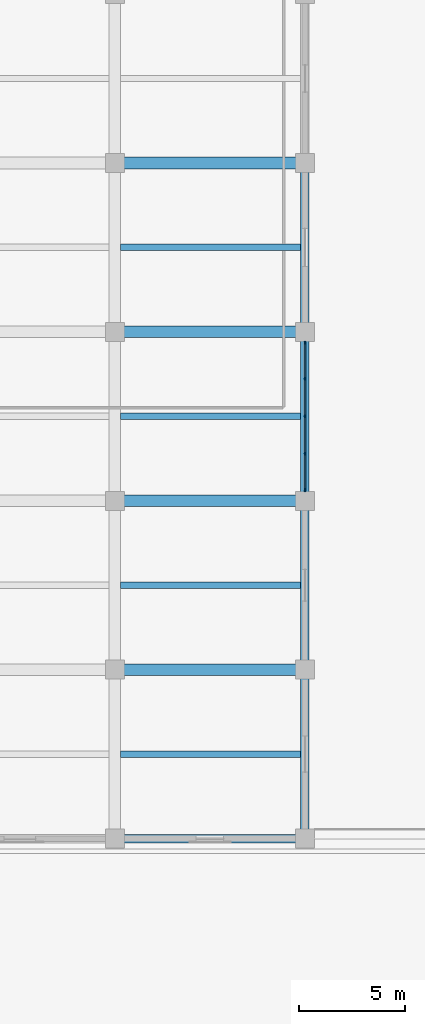
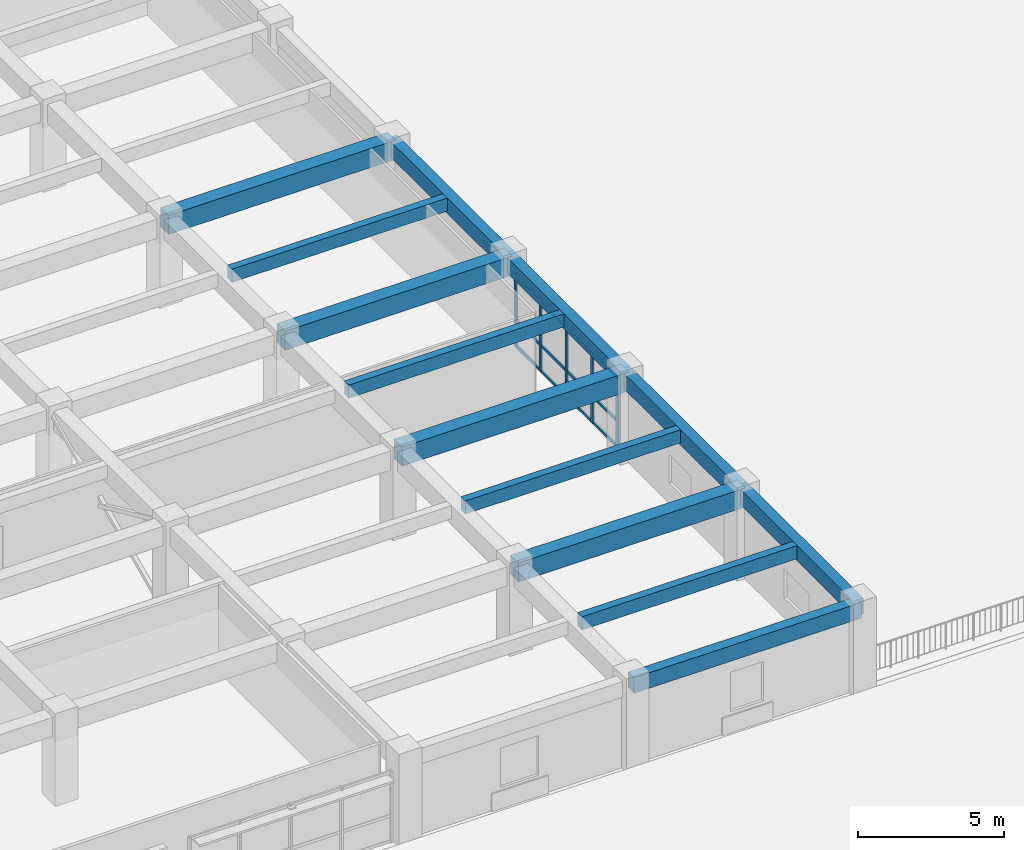
# One storey, part 11 of 34: 13 beams, 8 members, 1 element without a shape of its own.
"""IFC4 building model written with IfcOpenShell, lengths in metres."""

from ifc_helpers import new_model, si_unit, direction, frame, origin, origin_2d, place, context, subcontext, project, spatial, rectangle, extrude, material, material_profile, profile_set, type_object, element, aggregate, save


model = new_model("IFC4")

# Units and contexts
model_context = context("Model", 3, precision=1e-05, world=origin(), true_north=direction((0.0, 1.0)))
body_context = subcontext(model_context, "Body", "Model", "MODEL_VIEW")
ifc_project = project(units=[si_unit("LENGTHUNIT", "METRE"), si_unit("AREAUNIT", "SQUARE_METRE"), si_unit("VOLUMEUNIT", "CUBIC_METRE"), si_unit("PLANEANGLEUNIT", "RADIAN"), si_unit("MASSUNIT", "GRAM", prefix="KILO")], contexts=[model_context])

# Site, building, storey
site_placement = place(None, origin())
site = spatial("IfcSite", under=ifc_project, at=site_placement, CompositionType="ELEMENT")
building_placement = place(site_placement, origin())
building = spatial("IfcBuilding", under=site, at=building_placement, Name="Zaverband Oceanarium and Marine Research Institute", CompositionType="ELEMENT")
storey_placement = place(building_placement, frame((0.0, 0.0, 18.0)))
storey = spatial("IfcBuildingStorey", under=building, at=storey_placement, Name="L04", CompositionType="ELEMENT", Elevation=18.0)

# Beams
ifc_material_1 = material(Name="Concrete C40/50", Category="concrete")
ifc_material_profile_1 = material_profile(ifc_material_1, rectangle(XDim=0.550048828125, YDim=0.800048828125, at=origin_2d()), Name="RC550x800")
ifc_profile_set_1 = profile_set([ifc_material_profile_1], Name="Concrete C40/50")
beam_type_1 = type_object("IfcBeamType", Name="BM-550x800", PredefinedType="BEAM", material=ifc_profile_set_1)
for number, where, z_axis, x_axis, name in (
    (1, (63.0, 72.0, 3.25), (1.0, 0.0, 0.0), (0.0, 1.0, 0.0), "Primary floor girder BM-550x800"),
    (2, (63.0, 80.0, 3.25), (1.0, 0.0, 0.0), (0.0, 1.0, 0.0), "Primary floor girder BM-550x800"),
    (3, (63.0, 88.0, 3.25), (1.0, 0.0, 0.0), (0.0, 1.0, 0.0), "Primary floor girder BM-550x800"),
    (4, (63.0, 96.0, 3.25), (1.0, 0.0, 0.0), (0.0, 1.0, 0.0), "Primary floor girder BM-550x800"),
):
    element("IfcBeam", number, at=place(storey_placement, frame(where, z_axis=z_axis, x_axis=x_axis)), inside=storey, type_object=beam_type_1, Name=name, PredefinedType="BEAM", context=body_context, shape_type="SweptSolid", body=[
        extrude(rectangle(XDim=0.550048828125, YDim=0.800048828125, at=origin_2d()), origin(), (0.0, 0.0, 1.0), 9.0),
    ])
ifc_material_profile_2 = material_profile(ifc_material_1, rectangle(XDim=0.300048828125, YDim=0.550048828125, at=origin_2d()), Name="RC300x550")
ifc_profile_set_2 = profile_set([ifc_material_profile_2], Name="Concrete C40/50")
beam_type_2 = type_object("IfcBeamType", Name="JST-300x550", PredefinedType="JOIST", material=ifc_profile_set_2)
for number, where, z_axis, x_axis, name in (
    (5, (63.27490234375, 68.0, 3.375), (1.0, 0.0, 0.0), (0.0, 1.0, 0.0), "Secondary floor joist JST-300x550"),
    (6, (63.27490234375, 76.0, 3.375), (1.0, 0.0, 0.0), (0.0, 1.0, 0.0), "Secondary floor joist JST-300x550"),
    (7, (63.27490234375, 84.0, 3.375), (1.0, 0.0, 0.0), (0.0, 1.0, 0.0), "Secondary floor joist JST-300x550"),
    (8, (63.27490234375, 92.0, 3.375), (1.0, 0.0, 0.0), (0.0, 1.0, 0.0), "Secondary floor joist JST-300x550"),
):
    element("IfcBeam", number, at=place(storey_placement, frame(where, z_axis=z_axis, x_axis=x_axis)), inside=storey, type_object=beam_type_2, Name=name, PredefinedType="JOIST", context=body_context, shape_type="SweptSolid", body=[
        extrude(rectangle(XDim=0.300048828125, YDim=0.550048828125, at=origin_2d()), origin(), (0.0, 0.0, 1.0), 8.525146484375),
    ])

# Curtain wall, members
ifc_material_2 = material(Name="Thermally broken anodized aluminium and solar-control glass", Category="aluminium")
curtain_wall_type = type_object("IfcCurtainWallType", Name="CW-UNIT-1800", PredefinedType="NOTDEFINED", material=ifc_material_2)
curtain_wall_placement = place(storey_placement, origin())
curtain_wall = element("IfcCurtainWall", 9, at=curtain_wall_placement, inside=storey, type_object=curtain_wall_type, Name="Unitised glazed curtain wall CW-066", PredefinedType="NOTDEFINED")
ifc_material_3 = material(Name="Thermally broken anodized aluminium", Category="aluminium")
ifc_material_profile_3 = material_profile(ifc_material_3, rectangle(XDim=0.070068359375, YDim=0.14990234375, at=origin_2d()), Name="AL-MUL-70x150")
ifc_profile_set_3 = profile_set([ifc_material_profile_3], Name="Thermally broken anodized aluminium")
member_type_1 = type_object("IfcMemberType", Name="MUL-70x150", PredefinedType="MULLION", material=ifc_profile_set_3)
member_1_placement = place(storey_placement, frame((72.0, 80.514892578125, 0.0), z_axis=(0.0, 0.0, 1.0), x_axis=(1.0, 0.0, 0.0)))
member_1 = element("IfcMember", 10, at=member_1_placement, type_object=member_type_1, Name="Curtain wall vertical mullion MUL-70x150", PredefinedType="MULLION", context=body_context, shape_type="SweptSolid", body=[
    extrude(rectangle(XDim=0.070068359375, YDim=0.14990234375, at=origin_2d()), origin(), (0.0, 0.0, 1.0), 2.97998046875),
])
member_2_placement = place(storey_placement, frame((72.0, 82.2275390625, 0.0), z_axis=(0.0, 0.0, 1.0), x_axis=(1.0, 0.0, 0.0)))
member_2 = element("IfcMember", 11, at=member_2_placement, type_object=member_type_1, Name="Curtain wall vertical mullion MUL-70x150", PredefinedType="MULLION", context=body_context, shape_type="SweptSolid", body=[
    extrude(rectangle(XDim=0.070068359375, YDim=0.14990234375, at=origin_2d()), origin(), (0.0, 0.0, 1.0), 2.97998046875),
])
member_3_placement = place(storey_placement, frame((72.0, 84.0, 0.0), z_axis=(0.0, 0.0, 1.0), x_axis=(1.0, 0.0, 0.0)))
member_3 = element("IfcMember", 12, at=member_3_placement, type_object=member_type_1, Name="Curtain wall vertical mullion MUL-70x150", PredefinedType="MULLION", context=body_context, shape_type="SweptSolid", body=[
    extrude(rectangle(XDim=0.070068359375, YDim=0.14990234375, at=origin_2d()), origin(), (0.0, 0.0, 1.0), 2.97998046875),
])
member_4_placement = place(storey_placement, frame((72.0, 85.7724609375, 0.0), z_axis=(0.0, 0.0, 1.0), x_axis=(1.0, 0.0, 0.0)))
member_4 = element("IfcMember", 13, at=member_4_placement, type_object=member_type_1, Name="Curtain wall vertical mullion MUL-70x150", PredefinedType="MULLION", context=body_context, shape_type="SweptSolid", body=[
    extrude(rectangle(XDim=0.070068359375, YDim=0.14990234375, at=origin_2d()), origin(), (0.0, 0.0, 1.0), 2.97998046875),
])
member_5_placement = place(storey_placement, frame((72.0, 87.485107421875, 0.0), z_axis=(0.0, 0.0, 1.0), x_axis=(1.0, 0.0, 0.0)))
member_5 = element("IfcMember", 14, at=member_5_placement, type_object=member_type_1, Name="Curtain wall vertical mullion MUL-70x150", PredefinedType="MULLION", context=body_context, shape_type="SweptSolid", body=[
    extrude(rectangle(XDim=0.070068359375, YDim=0.14990234375, at=origin_2d()), origin(), (0.0, 0.0, 1.0), 2.97998046875),
])

# Beams
ifc_material_profile_4 = material_profile(ifc_material_1, rectangle(XDim=0.39990234375, YDim=0.64990234375, at=origin_2d()), Name="RC400x650")
ifc_profile_set_4 = profile_set([ifc_material_profile_4], Name="Concrete C40/50")
beam_type_3 = type_object("IfcBeamType", Name="SPN-400x650", PredefinedType="SPANDREL", material=ifc_profile_set_4)
beam_placement = place(storey_placement, frame((63.0, 64.0, 3.324951171875), z_axis=(1.0, 0.0, 0.0), x_axis=(0.0, 1.0, 0.0)))
element("IfcBeam", 15, at=beam_placement, inside=storey, type_object=beam_type_3, Name="Perimeter spandrel beam SPN-400x650", PredefinedType="SPANDREL", context=body_context, shape_type="SweptSolid", body=[
    extrude(rectangle(XDim=0.39990234375, YDim=0.64990234375, at=origin_2d()), origin(), (0.0, 0.0, 1.0), 9.0),
])
for number, where, z_axis, x_axis, name in (
    (16, (72.0, 64.0, 3.324951171875), (0.0, 1.0, 0.0), (-1.0, 0.0, 0.0), "Perimeter spandrel beam SPN-400x650"),
    (17, (72.0, 72.0, 3.324951171875), (0.0, 1.0, 0.0), (-1.0, 0.0, 0.0), "Perimeter spandrel beam SPN-400x650"),
    (18, (72.0, 80.0, 3.324951171875), (0.0, 1.0, 0.0), (-1.0, 0.0, 0.0), "Perimeter spandrel beam SPN-400x650"),
    (19, (72.0, 88.0, 3.324951171875), (0.0, 1.0, 0.0), (-1.0, 0.0, 0.0), "Perimeter spandrel beam SPN-400x650"),
):
    element("IfcBeam", number, at=place(storey_placement, frame(where, z_axis=z_axis, x_axis=x_axis)), inside=storey, type_object=beam_type_3, Name=name, PredefinedType="SPANDREL", context=body_context, shape_type="SweptSolid", body=[
        extrude(rectangle(XDim=0.39990234375, YDim=0.64990234375, at=origin_2d()), origin(), (0.0, 0.0, 1.0), 8.0),
    ])

# Member
ifc_material_profile_5 = material_profile(ifc_material_3, rectangle(XDim=0.070068359375, YDim=0.114990234375, at=origin_2d()), Name="AL-TRN-70x115")
ifc_profile_set_5 = profile_set([ifc_material_profile_5], Name="Thermally broken anodized aluminium")
member_type_2 = type_object("IfcMemberType", Name="TRN-70x115", PredefinedType="USERDEFINED", material=ifc_profile_set_5)
member_6_placement = place(storey_placement, frame((72.0, 80.514892578125, 0.050048828125), z_axis=(0.0, 1.0, 0.0), x_axis=(-1.0, 0.0, 0.0)))
member_6 = element("IfcMember", 20, at=member_6_placement, type_object=member_type_2, Name="Curtain wall horizontal transom TRN-70x115", ObjectType="TRANSOM", PredefinedType="USERDEFINED", context=body_context, shape_type="SweptSolid", body=[
    extrude(rectangle(XDim=0.070068359375, YDim=0.114990234375, at=origin_2d()), origin(), (0.0, 0.0, 1.0), 6.97021484375),
])

member_7_placement = place(storey_placement, frame((72.0, 80.514892578125, 1.123046875), z_axis=(0.0, 1.0, 0.0), x_axis=(-1.0, 0.0, 0.0)))
member_7 = element("IfcMember", 21, at=member_7_placement, type_object=member_type_2, Name="Curtain wall horizontal transom TRN-70x115", ObjectType="TRANSOM", PredefinedType="USERDEFINED", context=body_context, shape_type="SweptSolid", body=[
    extrude(rectangle(XDim=0.070068359375, YDim=0.114990234375, at=origin_2d()), origin(), (0.0, 0.0, 1.0), 6.97021484375),
])

member_8_placement = place(storey_placement, frame((72.0, 80.514892578125, 2.929931640625), z_axis=(0.0, 1.0, 0.0), x_axis=(-1.0, 0.0, 0.0)))
member_8 = element("IfcMember", 22, at=member_8_placement, type_object=member_type_2, Name="Curtain wall horizontal transom TRN-70x115", ObjectType="TRANSOM", PredefinedType="USERDEFINED", context=body_context, shape_type="SweptSolid", body=[
    extrude(rectangle(XDim=0.070068359375, YDim=0.114990234375, at=origin_2d()), origin(), (0.0, 0.0, 1.0), 6.97021484375),
])

aggregate(curtain_wall, [member_1, member_2, member_3, member_4, member_5, member_6, member_7, member_8])

save(model, "model.ifc")
